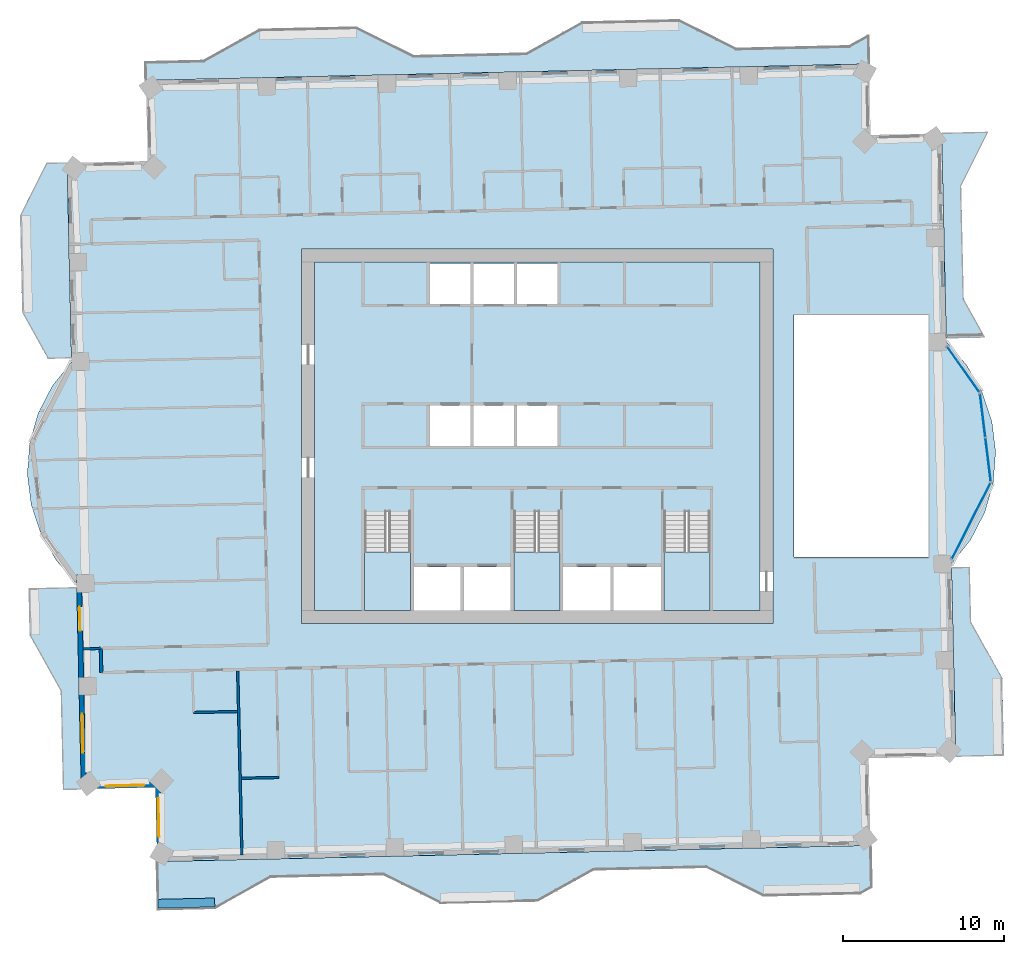
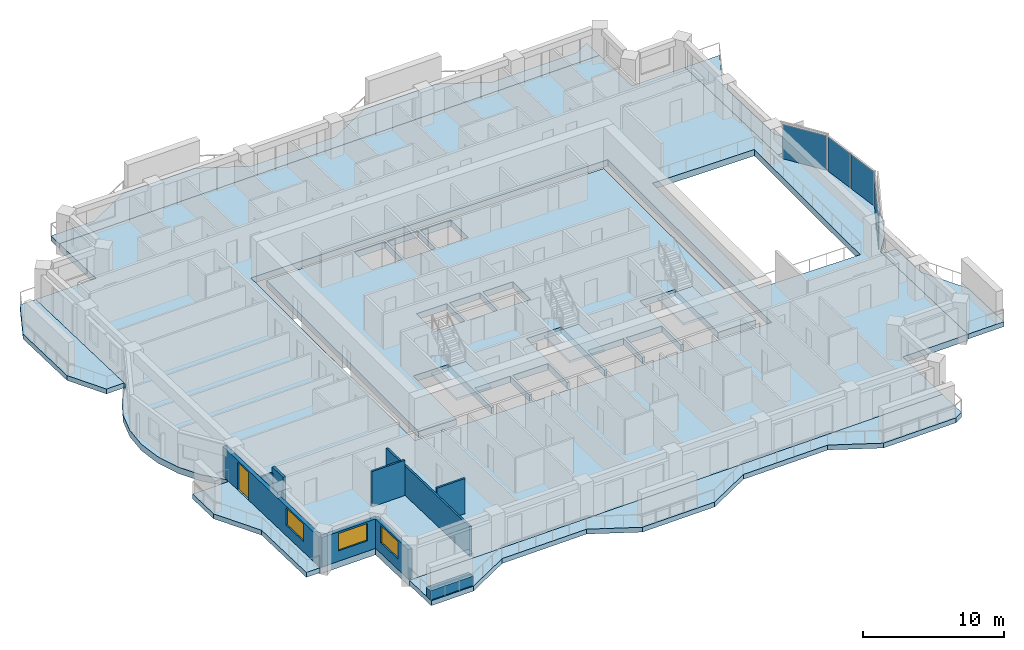
# One storey, part 5 of 17: 11 slabs, 9 walls, 4 plates, 3 windows, 1 door, 4 openings, 6 elements without a shape of their own.
"""IFC4 building model written with IfcOpenShell, lengths in metres."""

from ifc_helpers import new_model, si_unit, direction, frame, frame_2d, origin, origin_2d, place, context, subcontext, project, spatial, polyline, rectangle, outline, extrude, material, layer, layer_set, type_object, element, fill, aggregate, save


model = new_model("IFC4")

# Units and contexts
model_context = context("Model", 3, precision=1e-05, world=origin(), true_north=direction((0.0, 1.0)))
body_context = subcontext(model_context, "Body", "Model", "MODEL_VIEW")
ifc_project = project(units=[si_unit("LENGTHUNIT", "METRE"), si_unit("AREAUNIT", "SQUARE_METRE"), si_unit("VOLUMEUNIT", "CUBIC_METRE"), si_unit("PLANEANGLEUNIT", "RADIAN"), si_unit("MASSUNIT", "GRAM", prefix="KILO")], contexts=[model_context])

# Site, building, storey
site_placement = place(None, origin())
site = spatial("IfcSite", under=ifc_project, at=site_placement, CompositionType="ELEMENT")
building_placement = place(site_placement, origin())
building = spatial("IfcBuilding", under=site, at=building_placement, Name="Mangrove Gate Tower", CompositionType="ELEMENT")
storey_placement = place(building_placement, frame((0.0, 0.0, 238.300048828125)))
storey = spatial("IfcBuildingStorey", under=building, at=storey_placement, Name="L60", CompositionType="ELEMENT", Elevation=238.300048828125)

# Curtain wall, plate
ifc_material_1 = material(Name="Aluminium and glass curtain wall", Category="aluminium")
curtain_wall_type = type_object("IfcCurtainWallType", Name="Atrium garden-court glazing wall", PredefinedType="NOTDEFINED", material=ifc_material_1)
curtain_wall_1_placement = place(storey_placement, origin())
curtain_wall_1 = element("IfcCurtainWall", 1, at=curtain_wall_1_placement, inside=storey, type_object=curtain_wall_type, Name="Atrium garden-court glazing E1f1", PredefinedType="NOTDEFINED")
ifc_material_2 = material(Name="Laminated low-e glass", Category="glass")
ifc_layer_1 = layer(ifc_material_2, 0.031982421875)
ifc_layer_set_1 = layer_set([ifc_layer_1], Name="Atrium garden-court glazing panel 32")
plate_type = type_object("IfcPlateType", Name="Atrium garden-court glazing panel 32", PredefinedType="CURTAIN_PANEL", material=ifc_layer_set_1)
plate_1_placement = place(storey_placement, frame((26.87890625, -5.256591796875, 0.0), z_axis=(0.0, 0.0, 1.0), x_axis=(0.452597795636, 0.891714772439, 0.0)))
plate_1 = element("IfcPlate", 2, at=plate_1_placement, type_object=plate_type, Name="CWA panel 1.1", PredefinedType="CURTAIN_PANEL", context=body_context, shape_type="SweptSolid", body=[
    extrude(rectangle(XDim=5.258056640625, YDim=0.031982421875, at=origin_2d()), origin(), (0.0, 0.0, 1.0), 2.97998046875),
])
aggregate(curtain_wall_1, [plate_1])

# Curtain wall, plates
curtain_wall_2_placement = place(storey_placement, origin())
curtain_wall_2 = element("IfcCurtainWall", 3, at=curtain_wall_2_placement, inside=storey, type_object=curtain_wall_type, Name="Atrium garden-court glazing E1f2", PredefinedType="NOTDEFINED")
plate_2_placement = place(storey_placement, frame((27.92822265625, -1.449462890625, 0.0), z_axis=(0.0, 0.0, 1.0), x_axis=(-0.122172285885, 0.992508908051, 0.0)))
plate_2 = element("IfcPlate", 4, at=plate_2_placement, type_object=plate_type, Name="CWA panel 1.1", PredefinedType="CURTAIN_PANEL", context=body_context, shape_type="SweptSolid", body=[
    extrude(rectangle(XDim=2.681640625, YDim=0.031982421875, at=origin_2d()), origin(), (0.0, 0.0, 1.0), 2.97998046875),
])
plate_3_placement = place(storey_placement, frame((27.592041015625, 1.281494140625, 0.0), z_axis=(0.0, 0.0, 1.0), x_axis=(-0.122172285885, 0.992508908051, 0.0)))
plate_3 = element("IfcPlate", 5, at=plate_3_placement, type_object=plate_type, Name="CWA panel 2.1", PredefinedType="CURTAIN_PANEL", context=body_context, shape_type="SweptSolid", body=[
    extrude(rectangle(XDim=2.681640625, YDim=0.031982421875, at=origin_2d()), origin(), (0.0, 0.0, 1.0), 2.97998046875),
])
aggregate(curtain_wall_2, [plate_2, plate_3])

# Curtain wall, plate
curtain_wall_3_placement = place(storey_placement, origin())
curtain_wall_3 = element("IfcCurtainWall", 6, at=curtain_wall_3_placement, inside=storey, type_object=curtain_wall_type, Name="Atrium garden-court glazing E1f3", PredefinedType="NOTDEFINED")
plate_4_placement = place(storey_placement, frame((26.38818359375, 4.1376953125, 0.0), z_axis=(0.0, 0.0, 1.0), x_axis=(-0.578120908245, 0.815951110944, 0.0)))
plate_4 = element("IfcPlate", 7, at=plate_4_placement, type_object=plate_type, Name="CWA panel 1.1", PredefinedType="CURTAIN_PANEL", context=body_context, shape_type="SweptSolid", body=[
    extrude(rectangle(XDim=3.4287109375, YDim=0.031982421875, at=origin_2d()), origin(), (0.0, 0.0, 1.0), 2.97998046875),
])
aggregate(curtain_wall_3, [plate_4])

# Slabs
ifc_material_3 = material(Name="Porcelain tile")
ifc_layer_2 = layer(ifc_material_3, 0.02001953125, Name="Tile finish")
ifc_material_4 = material(Name="Cement sand screed")
ifc_layer_3 = layer(ifc_material_4, 0.0400390625, Name="Screed laid to falls")
ifc_material_5 = material(Name="Bituminous waterproofing membrane")
ifc_layer_4 = layer(ifc_material_5, 0.00390625, Name="Waterproofing")
ifc_material_6 = material(Name="Concrete C40/50", Category="concrete")
ifc_layer_5 = layer(ifc_material_6, 0.340087890625, Name="Balcony structural slab")
ifc_material_7 = material(Name="Limestone", Category="masonry")
ifc_layer_6 = layer(ifc_material_7, 0.01611328125, Name="Soffit lining")
ifc_layer_set_2 = layer_set([ifc_layer_2, ifc_layer_3, ifc_layer_4, ifc_layer_5, ifc_layer_6], Name="Balcony slab 420 C40/50")
slab_type_1 = type_object("IfcSlabType", Name="Balcony slab 420 C40/50", PredefinedType="FLOOR", material=ifc_layer_set_2)
slab_1_placement = place(storey_placement, frame((0.0, 0.0, -0.420166015625)))
element("IfcSlab", 8, at=slab_1_placement, inside=storey, type_object=slab_type_1, Name="BALCONY L60 E0", PredefinedType="FLOOR", context=body_context, shape_type="SweptSolid", body=[
    extrude(outline(polyline([(28.9130859375, -19.761962890625), (28.803955078125, -14.964111328125), (26.875, -11.507080078125), (26.798095703125, -8.133056640625), (25.658935546875, -8.158935546875), (25.735107421875, -11.531982421875), (25.81494140625, -15.031005859375), (25.924072265625, -19.830078125), (28.9130859375, -19.761962890625)])), origin(), (0.0, 0.0, 1.0), 0.420166015625),
])
slab_2_placement = place(storey_placement, frame((0.0, 0.0, -0.420166015625)))
element("IfcSlab", 9, at=slab_2_placement, inside=storey, type_object=slab_type_1, Name="BALCONY L60 E1", PredefinedType="FLOOR", context=body_context, shape_type="SweptSolid", body=[
    extrude(outline(polyline([(27.72998046875, 6.14306640625), (26.4208984375, 8.488037109375), (26.261962890625, 15.487060546875), (27.930908203125, 18.824951171875), (25.048095703125, 18.760009765625), (25.123046875, 15.4609375), (25.281005859375, 8.4619140625), (25.3349609375, 6.087890625), (27.72998046875, 6.14306640625)])), origin(), (0.0, 0.0, 1.0), 0.420166015625),
])
slab_3_placement = place(storey_placement, frame((0.0, 0.0, -0.420166015625)))
element("IfcSlab", 10, at=slab_3_placement, inside=storey, type_object=slab_type_1, Name="BALCONY L60 N0", PredefinedType="FLOOR", context=body_context, shape_type="SweptSolid", body=[
    extrude(outline(polyline([(20.509033203125, 24.8349609375), (19.320068359375, 24.1708984375), (12.321044921875, 24.011962890625), (8.780029296875, 25.782958984375), (2.781982421875, 25.64599609375), (-0.675048828125, 23.718017578125), (-1.875, 23.68994140625), (-7.673095703125, 23.56005859375), (-11.215087890625, 25.3291015625), (-17.212890625, 25.193115234375), (-20.669921875, 23.263916015625), (-24.27294921875, 23.181884765625), (-24.2470703125, 22.0419921875), (20.549072265625, 23.05908203125), (20.509033203125, 24.8349609375)])), origin(), (0.0, 0.0, 1.0), 0.420166015625),
])
slab_4_placement = place(storey_placement, frame((0.0, 0.0, -0.420166015625)))
element("IfcSlab", 11, at=slab_4_placement, inside=storey, type_object=slab_type_1, Name="BALCONY L60 W0", PredefinedType="FLOOR", context=body_context, shape_type="SweptSolid", body=[
    extrude(outline(polyline([(-30.430908203125, 16.90087890625), (-32.049072265625, 13.6630859375), (-31.9130859375, 7.6650390625), (-30.3291015625, 4.824951171875), (-28.85888671875, 4.85888671875), (-28.924072265625, 7.73291015625), (-29.06005859375, 13.73095703125), (-29.133056640625, 16.929931640625), (-30.430908203125, 16.90087890625)])), origin(), (0.0, 0.0, 1.0), 0.420166015625),
])
slab_5_placement = place(storey_placement, frame((0.0, 0.0, -0.420166015625)))
element("IfcSlab", 12, at=slab_5_placement, inside=storey, type_object=slab_type_1, Name="BALCONY L60 W1", PredefinedType="FLOOR", context=body_context, shape_type="SweptSolid", body=[
    extrude(outline(polyline([(-31.52490234375, -9.4560546875), (-31.458984375, -12.330078125), (-29.530029296875, -15.787109375), (-29.39208984375, -21.885986328125), (-28.251953125, -21.860107421875), (-28.39111328125, -15.760986328125), (-28.469970703125, -12.261962890625), (-28.534912109375, -9.387939453125), (-31.52490234375, -9.4560546875)])), origin(), (0.0, 0.0, 1.0), 0.420166015625),
])
slab_6_placement = place(storey_placement, frame((0.0, 0.0, -0.420166015625)))
element("IfcSlab", 13, at=slab_6_placement, inside=storey, type_object=slab_type_1, Name="BALCONY L60 S0", PredefinedType="FLOOR", context=body_context, shape_type="SweptSolid", body=[
    extrude(outline(polyline([(-23.48095703125, -29.343994140625), (-19.97802734375, -29.263916015625), (-16.52099609375, -27.3349609375), (-9.52294921875, -27.176025390625), (-5.98193359375, -28.946044921875), (0.01708984375, -28.81005859375), (3.47412109375, -26.881103515625), (10.471923828125, -26.72412109375), (14.012939453125, -28.492919921875), (20.010986328125, -28.35693359375), (20.70703125, -27.968994140625), (20.64697265625, -25.35107421875), (-23.549072265625, -26.35400390625), (-23.48095703125, -29.343994140625)])), origin(), (0.0, 0.0, 1.0), 0.420166015625),
])
ifc_material_8 = material(Name="Concrete C40/50", Category="concrete")
ifc_layer_7 = layer(ifc_material_8, 0.550048828125)
ifc_layer_set_3 = layer_set([ifc_layer_7], Name="Core floor slab 550 C40/50")
slab_type_2 = type_object("IfcSlabType", Name="Core floor slab 550 C40/50", PredefinedType="FLOOR", material=ifc_layer_set_3)
slab_7_placement = place(storey_placement, frame((0.0, 0.0, -0.550048828125)))
element("IfcSlab", 14, at=slab_7_placement, inside=storey, type_object=slab_type_2, Name="SLAB-L60-CORE-1", PredefinedType="FLOOR", context=body_context, shape_type="SweptSolid", body=[
    extrude(outline(polyline([(-13.800048828125, -10.800048828125), (-13.800048828125, 10.800048828125), (13.800048828125, 10.800048828125), (13.800048828125, -10.800048828125), (10.699951171875, -10.800048828125), (10.699951171875, -4.653076171875), (7.85009765625, -4.653076171875), (7.85009765625, -10.800048828125), (7.64990234375, -10.800048828125), (7.64990234375, -8.10009765625), (4.72509765625, -8.10009765625), (4.72509765625, -10.800048828125), (4.52490234375, -10.800048828125), (4.52490234375, -8.10009765625), (1.60009765625, -8.10009765625), (1.60009765625, -10.800048828125), (1.39990234375, -10.800048828125), (1.39990234375, -4.653076171875), (-1.449951171875, -4.653076171875), (-1.449951171875, -10.800048828125), (-1.64990234375, -10.800048828125), (-1.64990234375, -8.10009765625), (-4.550048828125, -8.10009765625), (-4.550048828125, -10.800048828125), (-4.75, -10.800048828125), (-4.75, -8.10009765625), (-7.64990234375, -8.10009765625), (-7.64990234375, -10.800048828125), (-7.85009765625, -10.800048828125), (-7.85009765625, -4.653076171875), (-10.699951171875, -4.653076171875), (-10.699951171875, -10.800048828125), (-13.800048828125, -10.800048828125)]), holes=[polyline([(-4.14990234375, 1.89990234375), (-6.64990234375, 1.89990234375), (-6.64990234375, -0.60009765625), (-4.14990234375, -0.60009765625), (-4.14990234375, 1.89990234375)]), polyline([(-1.449951171875, -0.60009765625), (-1.449951171875, 1.89990234375), (-3.949951171875, 1.89990234375), (-3.949951171875, -0.60009765625), (-1.449951171875, -0.60009765625)]), polyline([(-4.14990234375, 8.199951171875), (-4.14990234375, 10.699951171875), (-6.64990234375, 10.699951171875), (-6.64990234375, 8.199951171875), (-4.14990234375, 8.199951171875)]), polyline([(-1.449951171875, 10.699951171875), (-3.949951171875, 10.699951171875), (-3.949951171875, 8.199951171875), (-1.449951171875, 8.199951171875), (-1.449951171875, 10.699951171875)]), polyline([(1.25, -0.60009765625), (1.25, 1.89990234375), (-1.25, 1.89990234375), (-1.25, -0.60009765625), (1.25, -0.60009765625)]), polyline([(1.25, 8.199951171875), (1.25, 10.699951171875), (-1.25, 10.699951171875), (-1.25, 8.199951171875), (1.25, 8.199951171875)])]), origin(), (0.0, 0.0, 1.0), 0.550048828125),
])

# Stair, slab
ifc_material_9 = material(Name="Concrete C40/50", Category="concrete")
stair_type = type_object("IfcStairType", Name="Core stair 1350", PredefinedType="HALF_TURN_STAIR", material=ifc_material_9)
stair_1_placement = place(storey_placement, origin())
stair_1 = element("IfcStair", 15, at=stair_1_placement, inside=storey, type_object=stair_type, Name="L60 Stair 1", PredefinedType="HALF_TURN_STAIR")
ifc_material_10 = material(Name="Concrete C40/50", Category="concrete")
ifc_layer_8 = layer(ifc_material_10, 0.199951171875)
ifc_layer_set_4 = layer_set([ifc_layer_8], Name="Core stair landing 200")
slab_type_3 = type_object("IfcSlabType", Name="Core stair landing 200", PredefinedType="LANDING", material=ifc_layer_set_4)
slab_8_placement = place(storey_placement, frame((0.0, 0.0, 1.599853515625)))
slab_8 = element("IfcSlab", 16, at=slab_8_placement, type_object=slab_type_3, Name="ST1 landing 1", PredefinedType="LANDING", context=body_context, shape_type="SweptSolid", body=[
    extrude(outline(polyline([(-10.699951171875, -7.169921875), (-10.699951171875, -10.800048828125), (-7.85009765625, -10.800048828125), (-7.85009765625, -7.169921875), (-10.699951171875, -7.169921875)])), origin(), (0.0, 0.0, 1.0), 0.2001953125),
])
aggregate(stair_1, [slab_8])

stair_2_placement = place(storey_placement, origin())
stair_2 = element("IfcStair", 17, at=stair_2_placement, inside=storey, type_object=stair_type, Name="L60 Stair 2", PredefinedType="HALF_TURN_STAIR")
slab_9_placement = place(storey_placement, frame((0.0, 0.0, 1.599853515625)))
slab_9 = element("IfcSlab", 18, at=slab_9_placement, type_object=slab_type_3, Name="ST2 landing 1", PredefinedType="LANDING", context=body_context, shape_type="SweptSolid", body=[
    extrude(outline(polyline([(-1.449951171875, -7.169921875), (-1.449951171875, -10.800048828125), (1.39990234375, -10.800048828125), (1.39990234375, -7.169921875), (-1.449951171875, -7.169921875)])), origin(), (0.0, 0.0, 1.0), 0.2001953125),
])
aggregate(stair_2, [slab_9])

stair_3_placement = place(storey_placement, origin())
stair_3 = element("IfcStair", 19, at=stair_3_placement, inside=storey, type_object=stair_type, Name="L60 Stair 3", PredefinedType="HALF_TURN_STAIR")
slab_10_placement = place(storey_placement, frame((0.0, 0.0, 1.599853515625)))
slab_10 = element("IfcSlab", 20, at=slab_10_placement, type_object=slab_type_3, Name="ST3 landing 1", PredefinedType="LANDING", context=body_context, shape_type="SweptSolid", body=[
    extrude(outline(polyline([(7.85009765625, -7.169921875), (7.85009765625, -10.800048828125), (10.699951171875, -10.800048828125), (10.699951171875, -7.169921875), (7.85009765625, -7.169921875)])), origin(), (0.0, 0.0, 1.0), 0.2001953125),
])
aggregate(stair_3, [slab_10])

# Slab
ifc_material_11 = material(Name="Concrete C40/50", Category="concrete")
ifc_layer_9 = layer(ifc_material_11, 0.550048828125)
ifc_layer_set_5 = layer_set([ifc_layer_9], Name="Floor slab 550 C40/50")
slab_type_4 = type_object("IfcSlabType", Name="Floor slab 550 C40/50", PredefinedType="FLOOR", material=ifc_layer_set_5)
slab_11_placement = place(storey_placement, frame((0.0, 0.0, -0.550048828125)))
element("IfcSlab", 21, at=slab_11_placement, inside=storey, type_object=slab_type_4, Name="Floor slab L60", PredefinedType="FLOOR", context=body_context, shape_type="SweptSolid", body=[
    extrude(outline(polyline([(-23.549072265625, -26.354248046875), (20.6474609375, -25.351318359375), (20.52490234375, -19.95263671875), (25.923583984375, -19.830322265625), (25.653076171875, -7.90869140625), (26.849609375, -6.416259765625), (27.7265625, -4.71630859375), (28.2490234375, -2.87646484375), (28.396240234375, -0.96923828125), (28.16259765625, 0.92919921875), (27.55712890625, 2.74365234375), (26.60400390625, 4.40185546875), (25.341064453125, 5.83837890625), (25.0478515625, 18.759765625), (20.64892578125, 18.659912109375), (20.549072265625, 23.058837890625), (-24.247314453125, 22.042236328125), (-24.1337890625, 17.04345703125), (-29.132568359375, 16.93017578125), (-28.85302734375, 4.608642578125), (-30.049560546875, 3.1162109375), (-30.926513671875, 1.41650390625), (-31.448974609375, -0.423583984375), (-31.59619140625, -2.330810546875), (-31.362548828125, -4.229248046875), (-30.757080078125, -6.043701171875), (-29.803955078125, -7.701904296875), (-28.541015625, -9.138427734375), (-28.25244140625, -21.85986328125), (-23.653564453125, -21.755615234375), (-23.549072265625, -26.354248046875)]), holes=[polyline([(15.89990234375, 7.5), (24.22705078125, 7.5), (24.22705078125, -7.5), (15.89990234375, -7.5), (15.89990234375, 7.5)]), polyline([(-14.60009765625, -11.60009765625), (-14.60009765625, 11.60009765625), (14.60009765625, 11.60009765625), (14.60009765625, -11.60009765625), (-14.60009765625, -11.60009765625)])]), origin(), (0.0, 0.0, 1.0), 0.550048828125),
])

# Wall
ifc_material_12 = material(Name="Gypsum board on steel stud, EI 60", Category="steel")
ifc_layer_10 = layer(ifc_material_12, 0.199951171875)
ifc_layer_set_6 = layer_set([ifc_layer_10], Name="Corridor wall EI 60")
wall_type_1 = type_object("IfcWallType", Name="Corridor wall EI 60", PredefinedType="PARTITIONING", material=ifc_layer_set_6)
wall_1_placement = place(storey_placement, frame((-27.011962890625, -14.654052734375, 0.0), z_axis=(0.0, 0.0, 1.0), x_axis=(-0.022617910375, 0.999744182344, 0.0)))
element("IfcWall", 22, at=wall_1_placement, inside=storey, type_object=wall_type_1, Name="WALL-L60-027", PredefinedType="PARTITIONING", context=body_context, shape_type="SweptSolid", body=[
    extrude(rectangle(XDim=1.50048828125, YDim=0.199951171875, at=frame_2d((0.750244140625, 0.0))), origin(), (0.0, 0.0, 1.0), 3.050048828125),
])

# Wall, openings, door, window
ifc_layer_11 = layer(ifc_material_7, 0.0400390625, Name="Limestone cladding")
ifc_material_13 = material(Name="Ventilated air gap")
ifc_layer_12 = layer(ifc_material_13, 0.0400390625, Name="Ventilated cavity")
ifc_material_14 = material(Name="Mineral wool insulation")
ifc_layer_13 = layer(ifc_material_14, 0.06005859375, Name="Insulation")
ifc_material_15 = material(Name="Breather membrane")
ifc_layer_14 = layer(ifc_material_15, 0.001953125, Name="Breather membrane")
ifc_material_16 = material(Name="Concrete C20/25 blockwork", Category="masonry")
ifc_layer_15 = layer(ifc_material_16, 0.14990234375, Name="Blockwork backing wall")
ifc_material_17 = material(Name="Gypsum plaster")
ifc_layer_16 = layer(ifc_material_17, 0.008056640625, Name="Internal plaster")
ifc_layer_set_7 = layer_set([ifc_layer_11, ifc_layer_12, ifc_layer_13, ifc_layer_14, ifc_layer_15, ifc_layer_16], Name="External wall 300 limestone cladding")
wall_type_2 = type_object("IfcWallType", Name="External wall 300 limestone cladding", PredefinedType="SOLIDWALL", material=ifc_layer_set_7)
wall_2_placement = place(storey_placement, frame((-28.403076171875, -8.610107421875, 0.0), z_axis=(0.0, 0.0, 1.0), x_axis=(0.022680342038, -0.999742767958, 0.0)))
wall_2 = element("IfcWall", 23, at=wall_2_placement, inside=storey, type_object=wall_type_2, Name="WALL-L60-W10s1", PredefinedType="SOLIDWALL", context=body_context, shape_type="SweptSolid", body=[
    extrude(rectangle(XDim=13.100341796875, YDim=0.300048828125, at=frame_2d((6.55029296875, 0.0))), origin(), (0.0, 0.0, 1.0), 2.550048828125),
])
opening_1_placement = place(wall_2_placement, frame((1.949951171875, 0.0, 0.0)))
opening_1 = element("IfcOpeningElement", 24, at=opening_1_placement, cuts=wall_2, Name="Opening BD1", PredefinedType="OPENING", context=body_context, shape_type="SweptSolid", body=[
    extrude(rectangle(XDim=1.5, YDim=2.39990234375, at=frame_2d((0.75, 1.199951171875))), frame((0.0, 0.159912109375, 0.0), z_axis=(0.0, -1.0, 0.0), x_axis=(1.0, 0.0, 0.0)), (0.0, 0.0, 1.0), 0.320068359375),
])
opening_2_placement = place(wall_2_placement, frame((8.59912109375, 0.0, 0.89990234375)))
opening_2 = element("IfcOpeningElement", 25, at=opening_2_placement, cuts=wall_2, Name="Opening W2", PredefinedType="OPENING", context=body_context, shape_type="SweptSolid", body=[
    extrude(rectangle(XDim=2.39990234375, YDim=1.5, at=frame_2d((1.199951171875, 0.75))), frame((0.0, 0.159912109375, 0.0), z_axis=(0.0, -1.0, 0.0), x_axis=(1.0, 0.0, 0.0)), (0.0, 0.0, 1.0), 0.320068359375),
])
ifc_material_18 = material(Name="Aluminium frame with laminated clear glass", Category="aluminium")
door_type = type_object("IfcDoorType", Name="Balcony sliding door 1500x2400", OperationType="SLIDING_TO_LEFT", PredefinedType="DOOR", material=ifc_material_18)
door_placement = place(opening_1_placement, origin())
door = element("IfcDoor", 26, at=door_placement, inside=storey, type_object=door_type, Name="DOOR-L60-W10-1", OperationType="SLIDING_TO_LEFT", OverallHeight=2.39990234375, OverallWidth=1.5, PredefinedType="DOOR", context=body_context, shape_type="SweptSolid", body=[
    extrude(rectangle(XDim=1.5, YDim=2.39990234375, at=frame_2d((0.75, 1.199951171875))), frame((0.0, 0.02490234375, 0.0), z_axis=(0.0, -1.0, 0.0), x_axis=(1.0, 0.0, 0.0)), (0.0, 0.0, 1.0), 0.050048828125),
])
fill(opening_1, door)
ifc_material_19 = material(Name="Aluminium frame with double-glazed low-e glass", Category="aluminium")
window_type = type_object("IfcWindowType", Name="Corner room window 2400x1500", PartitioningType="DOUBLE_PANEL_VERTICAL", PredefinedType="WINDOW", material=ifc_material_19)
window_1_placement = place(opening_2_placement, origin())
window_1 = element("IfcWindow", 27, at=window_1_placement, inside=storey, type_object=window_type, Name="WIN-L60-W10-2", OverallHeight=1.5, OverallWidth=2.39990234375, PartitioningType="DOUBLE_PANEL_VERTICAL", PredefinedType="WINDOW", context=body_context, shape_type="SweptSolid", body=[
    extrude(rectangle(XDim=2.39990234375, YDim=1.5, at=frame_2d((1.199951171875, 0.75))), frame((0.0, 0.030029296875, 0.0), z_axis=(0.0, -1.0, 0.0), x_axis=(1.0, 0.0, 0.0)), (0.0, 0.0, 1.0), 0.06005859375),
])
fill(opening_2, window_1)

# Wall, opening, window
wall_3_placement = place(storey_placement, frame((-28.10595703125, -21.70703125, 0.0), z_axis=(0.0, 0.0, 1.0), x_axis=(0.999739556364, 0.022821468877, 0.0)))
wall_3 = element("IfcWall", 28, at=wall_3_placement, inside=storey, type_object=wall_type_2, Name="WALL-L60-S11", PredefinedType="SOLIDWALL", context=body_context, shape_type="SweptSolid", body=[
    extrude(rectangle(XDim=4.60009765625, YDim=0.300048828125, at=frame_2d((2.300048828125, 0.0))), origin(), (0.0, 0.0, 1.0), 2.550048828125),
])
opening_3_placement = place(wall_3_placement, frame((1.362060546875, 0.0, 0.89990234375)))
opening_3 = element("IfcOpeningElement", 29, at=opening_3_placement, cuts=wall_3, Name="Opening W2", PredefinedType="OPENING", context=body_context, shape_type="SweptSolid", body=[
    extrude(rectangle(XDim=2.39990234375, YDim=1.5, at=frame_2d((1.199951171875, 0.75))), frame((0.0, 0.159912109375, 0.0), z_axis=(0.0, -1.0, 0.0), x_axis=(1.0, 0.0, 0.0)), (0.0, 0.0, 1.0), 0.320068359375),
])
window_2_placement = place(opening_3_placement, origin())
window_2 = element("IfcWindow", 30, at=window_2_placement, inside=storey, type_object=window_type, Name="WIN-L60-S11-1", OverallHeight=1.5, OverallWidth=2.39990234375, PartitioningType="DOUBLE_PANEL_VERTICAL", PredefinedType="WINDOW", context=body_context, shape_type="SweptSolid", body=[
    extrude(rectangle(XDim=2.39990234375, YDim=1.5, at=frame_2d((1.199951171875, 0.75))), frame((0.0, 0.030029296875, 0.0), z_axis=(0.0, -1.0, 0.0), x_axis=(1.0, 0.0, 0.0)), (0.0, 0.0, 1.0), 0.06005859375),
])
fill(opening_3, window_2)

wall_4_placement = place(storey_placement, frame((-23.507080078125, -21.60205078125, 0.0), z_axis=(0.0, 0.0, 1.0), x_axis=(0.022609285172, -0.999744377441, 0.0)))
wall_4 = element("IfcWall", 31, at=wall_4_placement, inside=storey, type_object=wall_type_2, Name="WALL-L60-W12", PredefinedType="SOLIDWALL", context=body_context, shape_type="SweptSolid", body=[
    extrude(rectangle(XDim=4.60009765625, YDim=0.300048828125, at=frame_2d((2.300048828125, 0.0))), origin(), (0.0, 0.0, 1.0), 2.550048828125),
])
opening_4_placement = place(wall_4_placement, frame((0.83203125, 0.0, 0.89990234375)))
opening_4 = element("IfcOpeningElement", 32, at=opening_4_placement, cuts=wall_4, Name="Opening W2", PredefinedType="OPENING", context=body_context, shape_type="SweptSolid", body=[
    extrude(rectangle(XDim=2.39990234375, YDim=1.5, at=frame_2d((1.199951171875, 0.75))), frame((0.0, 0.159912109375, 0.0), z_axis=(0.0, -1.0, 0.0), x_axis=(1.0, 0.0, 0.0)), (0.0, 0.0, 1.0), 0.320068359375),
])
window_3_placement = place(opening_4_placement, origin())
window_3 = element("IfcWindow", 33, at=window_3_placement, inside=storey, type_object=window_type, Name="WIN-L60-W12-1", OverallHeight=1.5, OverallWidth=2.39990234375, PartitioningType="DOUBLE_PANEL_VERTICAL", PredefinedType="WINDOW", context=body_context, shape_type="SweptSolid", body=[
    extrude(rectangle(XDim=2.39990234375, YDim=1.5, at=frame_2d((1.199951171875, 0.75))), frame((0.0, 0.030029296875, 0.0), z_axis=(0.0, -1.0, 0.0), x_axis=(1.0, 0.0, 0.0)), (0.0, 0.0, 1.0), 0.06005859375),
])
fill(opening_4, window_3)

# Walls
ifc_material_20 = material(Name="Gypsum board on steel stud, EI 60", Category="steel")
ifc_layer_17 = layer(ifc_material_20, 0.14990234375)
ifc_layer_set_8 = layer_set([ifc_layer_17], Name="Party wall 150 EI 60")
wall_type_3 = type_object("IfcWallType", Name="Party wall 150 EI 60", PredefinedType="PARTITIONING", material=ifc_layer_set_8)
wall_5_placement = place(storey_placement, frame((-18.302978515625, -25.93505859375, 0.0), z_axis=(0.0, 0.0, 1.0), x_axis=(-0.022684355347, 0.999742676904, 0.0)))
element("IfcWall", 34, at=wall_5_placement, inside=storey, type_object=wall_type_3, Name="WALL-L60-001", PredefinedType="PARTITIONING", context=body_context, shape_type="SweptSolid", body=[
    extrude(rectangle(XDim=11.3759765625, YDim=0.14990234375, at=frame_2d((5.68798828125, 0.0))), origin(), (0.0, 0.0, 1.0), 2.550048828125),
])
wall_6_placement = place(storey_placement, frame((-18.340087890625, -21.195068359375, 0.0), z_axis=(0.0, 0.0, 1.0), x_axis=(0.99974053329, 0.022778632478, 0.0)))
element("IfcWall", 35, at=wall_6_placement, inside=storey, type_object=wall_type_3, Name="WALL-L60-012", PredefinedType="PARTITIONING", context=body_context, shape_type="SweptSolid", body=[
    extrude(rectangle(XDim=2.32568359375, YDim=0.14990234375, at=frame_2d((1.162841796875, 0.0))), origin(), (0.0, 0.0, 1.0), 3.050048828125),
])
wall_7_placement = place(storey_placement, frame((-21.30810546875, -17.12109375, 0.0), z_axis=(0.0, 0.0, 1.0), x_axis=(0.999741002259, 0.022758040381, 0.0)))
element("IfcWall", 36, at=wall_7_placement, inside=storey, type_object=wall_type_3, Name="WALL-L60-026", PredefinedType="PARTITIONING", context=body_context, shape_type="SweptSolid", body=[
    extrude(rectangle(XDim=2.724853515625, YDim=0.14990234375, at=frame_2d((1.3623046875, 0.0))), origin(), (0.0, 0.0, 1.0), 3.050048828125),
])
wall_8_placement = place(storey_placement, frame((-28.14892578125, -13.175048828125, 0.0), z_axis=(0.0, 0.0, 1.0), x_axis=(0.999740233734, 0.022791776024, 0.0)))
element("IfcWall", 37, at=wall_8_placement, inside=storey, type_object=wall_type_3, Name="WALL-L60-032", PredefinedType="PARTITIONING", context=body_context, shape_type="SweptSolid", body=[
    extrude(rectangle(XDim=1.103271484375, YDim=0.14990234375, at=frame_2d((0.5517578125, 0.0))), origin(), (0.0, 0.0, 1.0), 2.550048828125),
])
ifc_material_21 = material(Name="Concrete C32/40", Category="concrete")
ifc_layer_18 = layer(ifc_material_21, 0.199951171875, Name="Planter trough wall")
ifc_layer_19 = layer(ifc_material_5, 0.0048828125, Name="Waterproofing")
ifc_material_22 = material(Name="Drainage board and gravel")
ifc_layer_20 = layer(ifc_material_22, 0.044921875, Name="Drainage layer")
ifc_material_23 = material(Name="Planting soil")
ifc_layer_21 = layer(ifc_material_23, 0.300048828125, Name="Growing medium")
ifc_layer_set_9 = layer_set([ifc_layer_18, ifc_layer_19, ifc_layer_20, ifc_layer_21], Name="Planter wall 550 C32/40")
wall_type_4 = type_object("IfcWallType", Name="Planter wall 550 C32/40", PredefinedType="USERDEFINED", material=ifc_layer_set_9)
wall_9_placement = place(storey_placement, frame((-23.489990234375, -28.968994140625, 0.0), z_axis=(0.0, 0.0, 1.0), x_axis=(0.999738950566, 0.022847991624, 0.0)))
element("IfcWall", 38, at=wall_9_placement, inside=storey, type_object=wall_type_4, Name="PLANTER L60 S0.1", ObjectType="PLANTER", PredefinedType="USERDEFINED", context=body_context, shape_type="SweptSolid", body=[
    extrude(rectangle(XDim=3.5048828125, YDim=0.550048828125, at=frame_2d((1.75244140625, 0.0))), origin(), (0.0, 0.0, 1.0), 0.800048828125),
])

save(model, "model.ifc")
